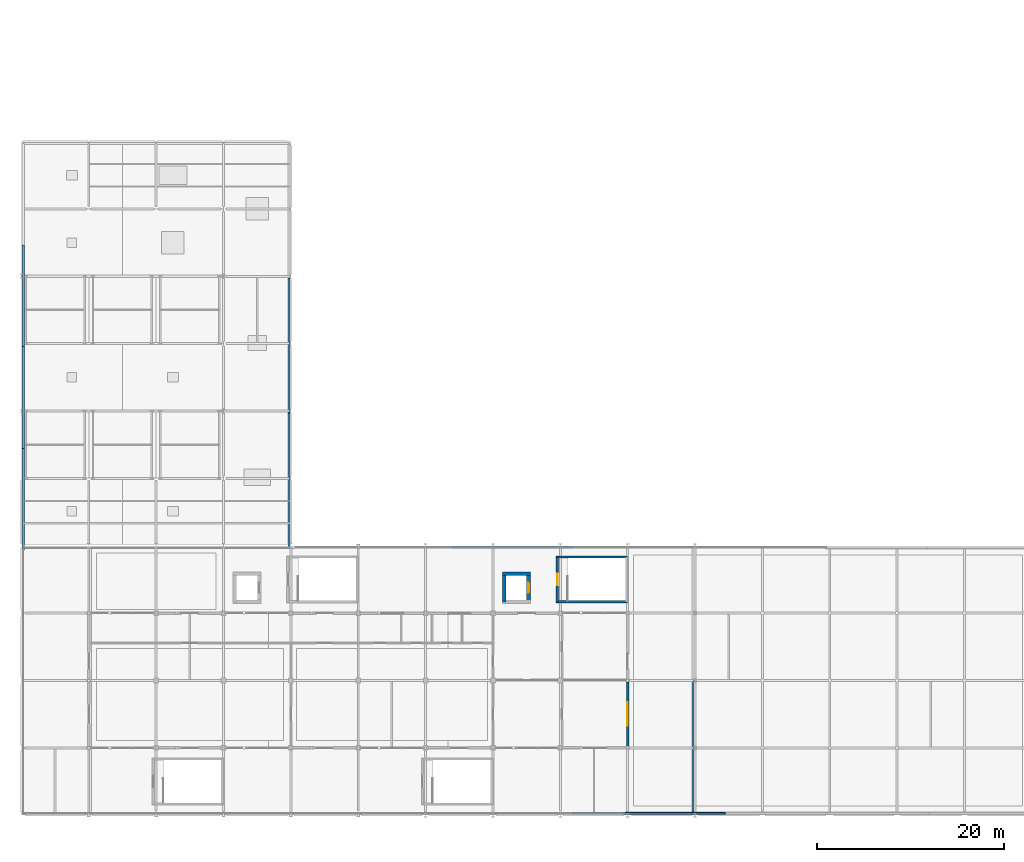
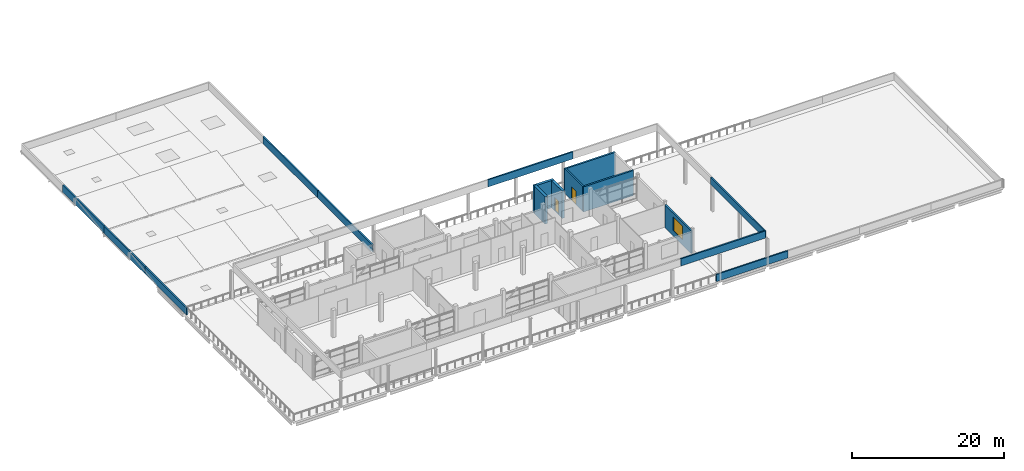
# One storey, part 25 of 32: 16 walls, 2 doors, 1 window, 3 openings.
"""IFC4 building model written with IfcOpenShell, lengths in metres."""

import ifcopenshell
import ifcopenshell.guid

model = None  # the IFC model being written
_history = None  # IfcOwnerHistory: only IFC2X3 demands one
_inside = {}  # id of a spatial element -> (the spatial element, [elements in it])
_under = {}  # id of a project, library or spatial element -> (it, [spatial elements below it])
_declared = {}  # id of a project -> (the project, [libraries it declares])
_typed = {}  # id of a type object -> (the type object, [elements of that type])
_made_of = {}  # id of a material, layer set ... -> (it, [elements and type objects made of it])


def new_model(schema):
    """Start an empty IFC model of exactly this schema.

    Asked for "IFC4X3", IfcOpenShell would pick the latest addendum, in which some entities
    have other attributes; the version numbers below select the first issue.
    IFC2X3 requires an IfcOwnerHistory on every rooted entity: one is made here for all.
    """
    global model, _history
    if schema == "IFC4X3":
        model = ifcopenshell.file(schema_version=(4, 3, 0, 0))
    else:
        model = ifcopenshell.file(schema=schema)
    _inside.clear()
    _under.clear()
    _declared.clear()
    _typed.clear()
    _made_of.clear()
    _history = None
    if model.schema == "IFC2X3":
        org = make("IfcOrganization", Name="unknown")
        user = make(
            "IfcPersonAndOrganization",
            ThePerson=make("IfcPerson", FamilyName="unknown"),
            TheOrganization=org,
        )
        app = make(
            "IfcApplication",
            ApplicationDeveloper=org,
            Version="unknown",
            ApplicationFullName="unknown",
            ApplicationIdentifier="unknown",
        )
        _history = make(
            "IfcOwnerHistory",
            OwningUser=user,
            OwningApplication=app,
            ChangeAction="ADDED",
            CreationDate=0,
        )
    return model


def make(cls, **values):
    """One entity of the class cls with the attributes given. An attribute that is None is left unset."""
    return model.create_entity(
        cls, **{name: value for name, value in values.items() if value is not None}
    )


def rooted(cls, **values):
    """An entity with a GlobalId (a new one), such as an element, a storey or a relation."""
    return make(cls, GlobalId=ifcopenshell.guid.new(), OwnerHistory=_history, **values)


def si_unit(unit_type, name, prefix=None):
    """IfcSIUnit, for example si_unit("LENGTHUNIT", "METRE", prefix="MILLI")."""
    return make("IfcSIUnit", UnitType=unit_type, Prefix=prefix, Name=name)


def assignment(units):
    """IfcUnitAssignment: the units of a project."""
    return None if units is None else make("IfcUnitAssignment", Units=units)


def point(xyz):
    """IfcCartesianPoint."""
    return None if xyz is None else make("IfcCartesianPoint", Coordinates=xyz)


def direction(xyz):
    """IfcDirection."""
    return None if xyz is None else make("IfcDirection", DirectionRatios=xyz)


def frame(location, z_axis=None, x_axis=None):
    """IfcAxis2Placement3D, a coordinate frame: its origin and axes. An axis left out is left unset."""
    return make(
        "IfcAxis2Placement3D",
        Location=point(location),
        Axis=direction(z_axis),
        RefDirection=direction(x_axis),
    )


def frame_2d(location, x_axis=None):
    """IfcAxis2Placement2D, a coordinate frame in the plane: its origin and x axis."""
    return make(
        "IfcAxis2Placement2D", Location=point(location), RefDirection=direction(x_axis)
    )


def origin():
    """The frame at (0, 0, 0) with its axes left unset."""
    return frame((0.0, 0.0, 0.0))


def place(relative_to, where):
    """IfcLocalPlacement: puts the frame where relative to a parent placement (None: the world)."""
    return make(
        "IfcLocalPlacement", PlacementRelTo=relative_to, RelativePlacement=where
    )


def context(
    kind, dimensions, precision=None, world=None, true_north=None, identifier=None
):
    """IfcGeometricRepresentationContext, for example the 3D "Model" context."""
    return make(
        "IfcGeometricRepresentationContext",
        ContextIdentifier=identifier,
        ContextType=kind,
        CoordinateSpaceDimension=dimensions,
        Precision=precision,
        WorldCoordinateSystem=world,
        TrueNorth=true_north,
    )


def subcontext(parent, identifier, kind, view, scale=None):
    """IfcGeometricRepresentationSubContext, for example "Body" below "Model"."""
    return make(
        "IfcGeometricRepresentationSubContext",
        ContextIdentifier=identifier,
        ContextType=kind,
        ParentContext=parent,
        TargetScale=scale,
        TargetView=view,
    )


def project(units=None, contexts=None):
    """IfcProject with its units and contexts."""
    return rooted(
        "IfcProject",
        Name="project",
        RepresentationContexts=contexts,
        UnitsInContext=assignment(units),
    )


def spatial(cls, under=None, at=None, **own):
    """A site, building, storey or space (cls), placed at a placement, below another one or the project."""
    s = rooted(cls, ObjectPlacement=at, **own)
    if under is not None:
        _under.setdefault(under.id(), (under, []))[1].append(s)
    return s


def profile(cls, at=None, kind="AREA", **sizes):
    """A parametric profile (cls). Its sizes go by their IFC names, for example OverallWidth=200.0."""
    return make(cls, ProfileType=kind, Position=at, **sizes)


def rectangle(**sizes):
    """IfcRectangleProfileDef."""
    return profile("IfcRectangleProfileDef", **sizes)


def extrude(swept, where, along, depth):
    """IfcExtrudedAreaSolid: the profile swept, set in the frame where, extruded along a direction by depth."""
    return make(
        "IfcExtrudedAreaSolid",
        SweptArea=swept,
        Position=where,
        ExtrudedDirection=direction(along),
        Depth=depth,
    )


def shape(context_of_items, identifier, shape_type, items):
    """IfcShapeRepresentation: the items that make up one representation, for example the "Body"."""
    return make(
        "IfcShapeRepresentation",
        ContextOfItems=context_of_items,
        RepresentationIdentifier=identifier,
        RepresentationType=shape_type,
        Items=items,
    )


def material(Name=None, Category=None):
    """IfcMaterial."""
    return make("IfcMaterial", Name=Name, Category=Category)


def layer(
    of_material, thickness, ventilated=None, Name=None, Category=None, Priority=None
):
    """IfcMaterialLayer: one layer of a wall or slab, of a material (None: an air gap)."""
    return make(
        "IfcMaterialLayer",
        Material=of_material,
        LayerThickness=thickness,
        IsVentilated=ventilated,
        Name=Name,
        Category=Category,
        Priority=Priority,
    )


def layer_set(layers, Name=None):
    """IfcMaterialLayerSet."""
    return make("IfcMaterialLayerSet", MaterialLayers=layers, LayerSetName=Name)


def made_of(thing, what):
    """Note that an element or type object is made of a material, layer set ...; save() writes the relation."""
    if what is not None:
        _made_of.setdefault(what.id(), (what, []))[1].append(thing)
    return thing


def type_object(cls, material=None, **own):
    """A type object (cls), such as IfcWallType, which elements share."""
    return made_of(rooted(cls, **own), material)


def element(
    cls,
    number,
    at=None,
    inside=None,
    cuts=None,
    type_object=None,
    material=None,
    context=None,
    identifier="Body",
    shape_type=None,
    held_by="IfcProductDefinitionShape",
    body=None,
    shapes=None,
    **own,
):
    """One element of the class cls, such as IfcWall. Its Tag is "e" and its number.

    at: its placement. inside: the storey or other place that contains it. cuts: it is an
    opening in that element (IfcRelVoidsElement). A single representation is given by context,
    identifier, shape_type and body (its items); several are given by shapes. held_by: the class
    of the entity that holds the representations. save() writes the other relations.
    """
    e = rooted(cls, Tag="e%d" % number, ObjectPlacement=at, **own)
    if body is not None:
        shapes = [shape(context, identifier, shape_type, body)]
    if shapes is not None:
        e.Representation = make(held_by, Representations=shapes)
    if inside is not None:
        _inside.setdefault(inside.id(), (inside, []))[1].append(e)
    if cuts is not None:
        rooted(
            "IfcRelVoidsElement", RelatingBuildingElement=cuts, RelatedOpeningElement=e
        )
    if type_object is not None:
        _typed.setdefault(type_object.id(), (type_object, []))[1].append(e)
    return made_of(e, material)


def fill(opening, filler):
    """IfcRelFillsElement: the door or window that sits in an opening."""
    return rooted(
        "IfcRelFillsElement",
        RelatingOpeningElement=opening,
        RelatedBuildingElement=filler,
    )


def aggregate(whole, parts):
    """IfcRelAggregates: a whole, such as a stair, and the parts it consists of."""
    return rooted("IfcRelAggregates", RelatingObject=whole, RelatedObjects=parts)


def save(model, path):
    """Write the relations noted so far, then the file.

    IfcRelAggregates (storeys below a building ...), IfcRelContainedInSpatialStructure (elements
    in a storey), IfcRelDefinesByType, IfcRelAssociatesMaterial and IfcRelDeclares: one each for
    every whole, place, type object, material and project.
    """
    for whole, parts in _under.values():
        aggregate(whole, parts)
    for where, things in _inside.values():
        rooted(
            "IfcRelContainedInSpatialStructure",
            RelatedElements=things,
            RelatingStructure=where,
        )
    for kind, things in _typed.values():
        rooted("IfcRelDefinesByType", RelatedObjects=things, RelatingType=kind)
    for what, things in _made_of.values():
        rooted("IfcRelAssociatesMaterial", RelatedObjects=things, RelatingMaterial=what)
    for by, libraries in _declared.values():
        rooted("IfcRelDeclares", RelatingContext=by, RelatedDefinitions=libraries)
    model.write(path)


model = new_model("IFC4")

# Units and contexts
model_context = context("Model", 3, precision=1e-05, world=origin(), true_north=direction((0.0, 1.0)))
body_context = subcontext(model_context, "Body", "Model", "MODEL_VIEW")
ifc_project = project(units=[si_unit("LENGTHUNIT", "METRE"), si_unit("AREAUNIT", "SQUARE_METRE"), si_unit("VOLUMEUNIT", "CUBIC_METRE"), si_unit("PLANEANGLEUNIT", "RADIAN"), si_unit("MASSUNIT", "GRAM", prefix="KILO")], contexts=[model_context])

# Site, building, storey
site_placement = place(None, origin())
site = spatial("IfcSite", under=ifc_project, at=site_placement, CompositionType="ELEMENT")
building_placement = place(site_placement, origin())
building = spatial("IfcBuilding", under=site, at=building_placement, Name="Sardonyx Promenade Sports Hall", CompositionType="ELEMENT")
storey_placement = place(building_placement, frame((0.0, 0.0, 20.39990234375)))
storey = spatial("IfcBuildingStorey", under=building, at=storey_placement, Name="L04", CompositionType="ELEMENT", Elevation=20.39990234375)

# Wall, opening, door
ifc_material_1 = material(Name="Concrete C40/50", Category="concrete")
ifc_layer_1 = layer(ifc_material_1, 0.3798828125)
ifc_layer_set_1 = layer_set([ifc_layer_1], Name="Wall_Core_Shear_380")
wall_type_1 = type_object("IfcWallType", Name="Wall_Core_Shear_380", PredefinedType="SHEAR", material=ifc_layer_set_1)
wall_1_placement = place(storey_placement, frame((54.199951171875, 22.800048828125, 0.0), z_axis=(0.0, 0.0, 1.0), x_axis=(0.0, 1.0, 0.0)))
wall_1 = element("IfcWall", 1, at=wall_1_placement, inside=storey, type_object=wall_type_1, Name="Lift shaft wall LF3 L04 E", PredefinedType="SHEAR", context=body_context, shape_type="SweptSolid", body=[
    extrude(rectangle(XDim=3.0, YDim=0.3798828125, at=frame_2d((1.5, 0.0))), origin(), (0.0, 0.0, 1.0), 4.400146484375),
])
opening_1_placement = place(wall_1_placement, frame((0.949951171875, 0.0, 0.0)))
opening_1 = element("IfcOpeningElement", 2, at=opening_1_placement, cuts=wall_1, Name="Opening LD01", PredefinedType="OPENING", context=body_context, shape_type="SweptSolid", body=[
    extrude(rectangle(XDim=1.10009765625, YDim=2.199951171875, at=frame_2d((0.550048828125, 1.10009765625))), frame((0.0, 0.2, 0.0), z_axis=(0.0, -1.0, 0.0), x_axis=(1.0, 0.0, 0.0)), (0.0, 0.0, 1.0), 0.4),
])
ifc_material_2 = material(Name="Fire-rated stainless steel sliding lift door", Category="steel")
door_type_1 = type_object("IfcDoorType", Name="Door_Lift_Pass_110x220", OperationType="NOTDEFINED", PredefinedType="DOOR", material=ifc_material_2)
door_1_placement = place(opening_1_placement, origin())
door_1 = element("IfcDoor", 3, at=door_1_placement, inside=storey, type_object=door_type_1, Name="Lift landing sliding door LD-LF3-L04", OperationType="SLIDING_TO_LEFT", OverallHeight=2.199951171875, OverallWidth=1.10009765625, PredefinedType="DOOR", context=body_context, shape_type="SweptSolid", body=[
    extrude(rectangle(XDim=1.10009765625, YDim=2.199951171875, at=frame_2d((0.550048828125, 1.10009765625))), frame((0.0, 0.02490234375, 0.0), z_axis=(0.0, -1.0, 0.0), x_axis=(1.0, 0.0, 0.0)), (0.0, 0.0, 1.0), 0.050048828125),
])
fill(opening_1, door_1)

# Walls
wall_2_placement = place(storey_placement, frame((51.409912109375, 25.800048828125, 0.0), z_axis=(0.0, 0.0, 1.0), x_axis=(1.0, 0.0, 0.0)))
element("IfcWall", 4, at=wall_2_placement, inside=storey, type_object=wall_type_1, Name="Lift shaft wall LF3 L04 N", PredefinedType="SHEAR", context=body_context, shape_type="SweptSolid", body=[
    extrude(rectangle(XDim=2.97998046875, YDim=0.3798828125, at=frame_2d((1.489990234375, 0.0))), origin(), (0.0, 0.0, 1.0), 4.400146484375),
])
wall_3_placement = place(storey_placement, frame((51.60009765625, 25.800048828125, 0.0), z_axis=(0.0, 0.0, 1.0), x_axis=(0.0, -1.0, 0.0)))
element("IfcWall", 5, at=wall_3_placement, inside=storey, type_object=wall_type_1, Name="Lift shaft wall LF3 L04 W", PredefinedType="SHEAR", context=body_context, shape_type="SweptSolid", body=[
    extrude(rectangle(XDim=3.0, YDim=0.3798828125, at=frame_2d((1.5, 0.0))), origin(), (0.0, 0.0, 1.0), 4.400146484375),
])

# Wall, opening, window
ifc_material_3 = material(Name="Masonry CMU 15 MPa", Category="masonry")
ifc_layer_2 = layer(ifc_material_3, 0.260009765625)
ifc_layer_set_2 = layer_set([ifc_layer_2], Name="Wall_Ext_Pavilion_260")
wall_type_2 = type_object("IfcWallType", Name="Wall_Ext_Pavilion_260", PredefinedType="SOLIDWALL", material=ifc_layer_set_2)
wall_4_placement = place(storey_placement, frame((64.800048828125, 14.25146484375, 0.0), z_axis=(0.0, 0.0, 1.0), x_axis=(0.0, -1.0, 0.0)))
wall_4 = element("IfcWall", 6, at=wall_4_placement, inside=storey, type_object=wall_type_2, Name="Exterior wall EW03 L04 #282", PredefinedType="SOLIDWALL", context=body_context, shape_type="SweptSolid", body=[
    extrude(rectangle(XDim=6.903076171875, YDim=0.260009765625, at=frame_2d((3.45166015625, 0.0))), origin(), (0.0, 0.0, 1.0), 3.655029296875),
])
opening_2_placement = place(wall_4_placement, frame((2.201416015625, 0.0, 0.85009765625)))
opening_2 = element("IfcOpeningElement", 7, at=opening_2_placement, cuts=wall_4, Name="Opening W04", PredefinedType="OPENING", context=body_context, shape_type="SweptSolid", body=[
    extrude(rectangle(XDim=2.5, YDim=2.199951171875, at=frame_2d((1.25, 1.10009765625))), frame((0.0, 0.14, 0.0), z_axis=(0.0, -1.0, 0.0), x_axis=(1.0, 0.0, 0.0)), (0.0, 0.0, 1.0), 0.28),
])
ifc_material_4 = material(Name="Double-glazed solar low-E aluminium window", Category="aluminium")
window_type = type_object("IfcWindowType", Name="Win_Pavilion_250x220", PartitioningType="DOUBLE_PANEL_VERTICAL", PredefinedType="WINDOW", material=ifc_material_4)
window_placement = place(opening_2_placement, origin())
window = element("IfcWindow", 8, at=window_placement, inside=storey, type_object=window_type, Name="Facade window W04 L04 #107", OverallHeight=2.199951171875, OverallWidth=2.5, PartitioningType="SINGLE_PANEL", PredefinedType="WINDOW", context=body_context, shape_type="SweptSolid", body=[
    extrude(rectangle(XDim=2.5, YDim=2.199951171875, at=frame_2d((1.25, 1.10009765625))), frame((0.0, 0.030029296875, 0.0), z_axis=(0.0, -1.0, 0.0), x_axis=(1.0, 0.0, 0.0)), (0.0, 0.0, 1.0), 0.06005859375),
])
fill(opening_2, window)

# Walls
ifc_material_5 = material(Name="Masonry sandstone coping", Category="masonry")
ifc_layer_3 = layer(ifc_material_5, 0.199951171875)
ifc_layer_set_3 = layer_set([ifc_layer_3], Name="Wall_Parapet_Garden_200")
wall_type_3 = type_object("IfcWallType", Name="Wall_Parapet_Garden_200", PredefinedType="PARAPET", material=ifc_layer_set_3)
wall_5_placement = place(storey_placement, frame((64.35009765625, 0.199951171875, 0.0), z_axis=(0.0, 0.0, 1.0), x_axis=(1.0, 0.0, 0.0)))
element("IfcWall", 9, at=wall_5_placement, inside=storey, type_object=wall_type_3, Name="Roof parapet PP03 L04 #41", PredefinedType="PARAPET", context=body_context, shape_type="SweptSolid", body=[
    extrude(rectangle(XDim=10.8623046875, YDim=0.199951171875, at=frame_2d((5.43115234375, 0.0))), origin(), (0.0, 0.0, 1.0), 1.150146484375),
])
ifc_material_6 = material(Name="Concrete C40/50", Category="concrete")
ifc_layer_4 = layer(ifc_material_6, 0.219970703125)
ifc_layer_set_4 = layer_set([ifc_layer_4], Name="Wall_Parapet_Roof_220")
wall_type_4 = type_object("IfcWallType", Name="Wall_Parapet_Roof_220", PredefinedType="PARAPET", material=ifc_layer_set_4)
wall_6_placement = place(storey_placement, frame((0.199951171875, 28.35009765625, 0.0), z_axis=(0.0, 0.0, 1.0), x_axis=(0.0, 1.0, 0.0)))
element("IfcWall", 10, at=wall_6_placement, inside=storey, type_object=wall_type_4, Name="Roof parapet PP02 L04 #49", PredefinedType="PARAPET", context=body_context, shape_type="SweptSolid", body=[
    extrude(rectangle(XDim=10.8623046875, YDim=0.219970703125, at=frame_2d((5.43115234375, 0.0))), origin(), (0.0, 0.0, 1.0), 1.150146484375),
])
for number, where, z_axis, x_axis, name in (
    (11, (0.199951171875, 39.21240234375, 0.0), (0.0, 0.0, 1.0), (0.0, 1.0, 0.0), "Roof parapet PP02 L04 #50"),
    (12, (0.199951171875, 50.074951171875, 0.0), (0.0, 0.0, 1.0), (0.0, 1.0, 0.0), "Roof parapet PP02 L04 #51"),
):
    element("IfcWall", number, at=place(storey_placement, frame(where, z_axis=z_axis, x_axis=x_axis)), inside=storey, type_object=wall_type_4, Name=name, PredefinedType="PARAPET", context=body_context, shape_type="SweptSolid", body=[
        extrude(rectangle(XDim=10.862548828125, YDim=0.219970703125, at=frame_2d((5.43115234375, 0.0))), origin(), (0.0, 0.0, 1.0), 1.150146484375),
    ])
for number, where, z_axis, x_axis, name in (
    (13, (28.60009765625, 57.39990234375, 0.0), (0.0, 0.0, 1.0), (0.0, -1.0, 0.0), "Roof parapet PP02 L04 #56"),
    (14, (28.60009765625, 43.0, 0.0), (0.0, 0.0, 1.0), (0.0, -1.0, 0.0), "Roof parapet PP02 L04 #57"),
):
    element("IfcWall", number, at=place(storey_placement, frame(where, z_axis=z_axis, x_axis=x_axis)), inside=storey, type_object=wall_type_4, Name=name, PredefinedType="PARAPET", context=body_context, shape_type="SweptSolid", body=[
        extrude(rectangle(XDim=14.39990234375, YDim=0.219970703125, at=frame_2d((7.199951171875, 0.0))), origin(), (0.0, 0.0, 1.0), 1.150146484375),
    ])
wall_7_placement = place(storey_placement, frame((58.919921875, 0.199951171875, 4.400146484375), z_axis=(0.0, 0.0, 1.0), x_axis=(1.0, 0.0, 0.0)))
element("IfcWall", 15, at=wall_7_placement, inside=storey, type_object=wall_type_4, Name="Roof parapet PP02 L04 #63", PredefinedType="PARAPET", context=body_context, shape_type="SweptSolid", body=[
    extrude(rectangle(XDim=12.880126953125, YDim=0.219970703125, at=frame_2d((6.43994140625, 0.0))), origin(), (0.0, 0.0, 1.0), 1.14990234375),
])
wall_8_placement = place(storey_placement, frame((71.800048828125, 0.199951171875, 4.400146484375), z_axis=(0.0, 0.0, 1.0), x_axis=(0.0, 1.0, 0.0)))
element("IfcWall", 16, at=wall_8_placement, inside=storey, type_object=wall_type_4, Name="Roof parapet PP02 L04 #64", PredefinedType="PARAPET", context=body_context, shape_type="SweptSolid", body=[
    extrude(rectangle(XDim=14.199951171875, YDim=0.219970703125, at=frame_2d((7.10009765625, 0.0))), origin(), (0.0, 0.0, 1.0), 1.14990234375),
])
wall_9_placement = place(storey_placement, frame((58.919921875, 28.60009765625, 4.400146484375), z_axis=(0.0, 0.0, 1.0), x_axis=(-1.0, 0.0, 0.0)))
element("IfcWall", 17, at=wall_9_placement, inside=storey, type_object=wall_type_4, Name="Roof parapet PP02 L04 #67", PredefinedType="PARAPET", context=body_context, shape_type="SweptSolid", body=[
    extrude(rectangle(XDim=12.8798828125, YDim=0.219970703125, at=frame_2d((6.43994140625, 0.0))), origin(), (0.0, 0.0, 1.0), 1.14990234375),
])

# Wall, opening, door
ifc_material_7 = material(Name="Concrete C40/50", Category="concrete")
ifc_layer_5 = layer(ifc_material_7, 0.25)
ifc_layer_set_5 = layer_set([ifc_layer_5], Name="Wall_Stair_Shear_250")
wall_type_5 = type_object("IfcWallType", Name="Wall_Stair_Shear_250", PredefinedType="SHEAR", material=ifc_layer_set_5)
wall_10_placement = place(storey_placement, frame((57.27490234375, 22.800048828125, 0.0), z_axis=(0.0, 0.0, 1.0), x_axis=(0.0, 1.0, 0.0)))
wall_10 = element("IfcWall", 18, at=wall_10_placement, inside=storey, type_object=wall_type_5, Name="Stair shaft wall ST3 L04 entry", PredefinedType="SHEAR", context=body_context, shape_type="SweptSolid", body=[
    extrude(rectangle(XDim=4.800048828125, YDim=0.25, at=frame_2d((2.39990234375, 0.0))), origin(), (0.0, 0.0, 1.0), 4.0400390625),
])
opening_3_placement = place(wall_10_placement, frame((1.77490234375, 0.0, 0.0)))
opening_3 = element("IfcOpeningElement", 19, at=opening_3_placement, cuts=wall_10, Name="Opening ID13", PredefinedType="OPENING", context=body_context, shape_type="SweptSolid", body=[
    extrude(rectangle(XDim=1.25, YDim=2.199951171875, at=frame_2d((0.625, 1.10009765625))), frame((0.0, 0.135, 0.0), z_axis=(0.0, -1.0, 0.0), x_axis=(1.0, 0.0, 0.0)), (0.0, 0.0, 1.0), 0.27),
])
ifc_material_8 = material(Name="Solid-core hardwood fire door FD60S", Category="wood")
door_type_2 = type_object("IfcDoorType", Name="Door_Stair_FD60_125x220", OperationType="NOTDEFINED", PredefinedType="DOOR", material=ifc_material_8)
door_2_placement = place(opening_3_placement, origin())
door_2 = element("IfcDoor", 20, at=door_2_placement, inside=storey, type_object=door_type_2, Name="Protected stair door SD16 (ST3 L04)", OperationType="SINGLE_SWING_RIGHT", OverallHeight=2.199951171875, OverallWidth=1.25, PredefinedType="DOOR", context=body_context, shape_type="SweptSolid", body=[
    extrude(rectangle(XDim=1.25, YDim=2.199951171875, at=frame_2d((0.625, 1.10009765625))), frame((0.0, 0.02490234375, 0.0), z_axis=(0.0, -1.0, 0.0), x_axis=(1.0, 0.0, 0.0)), (0.0, 0.0, 1.0), 0.050048828125),
])
fill(opening_3, door_2)

# Walls
for number, where, z_axis, x_axis, name in (
    (21, (57.14990234375, 27.60009765625, 0.0), (0.0, 0.0, 1.0), (1.0, 0.0, 0.0), "Stair shaft wall ST3 L04 N"),
    (22, (64.800048828125, 22.800048828125, 0.0), (0.0, 0.0, 1.0), (-1.0, 0.0, 0.0), "Stair shaft wall ST3 L04 S"),
):
    element("IfcWall", number, at=place(storey_placement, frame(where, z_axis=z_axis, x_axis=x_axis)), inside=storey, type_object=wall_type_5, Name=name, PredefinedType="SHEAR", context=body_context, shape_type="SweptSolid", body=[
        extrude(rectangle(XDim=7.650146484375, YDim=0.25, at=frame_2d((3.8251953125, 0.0))), origin(), (0.0, 0.0, 1.0), 4.0400390625),
    ])

save(model, "model.ifc")
